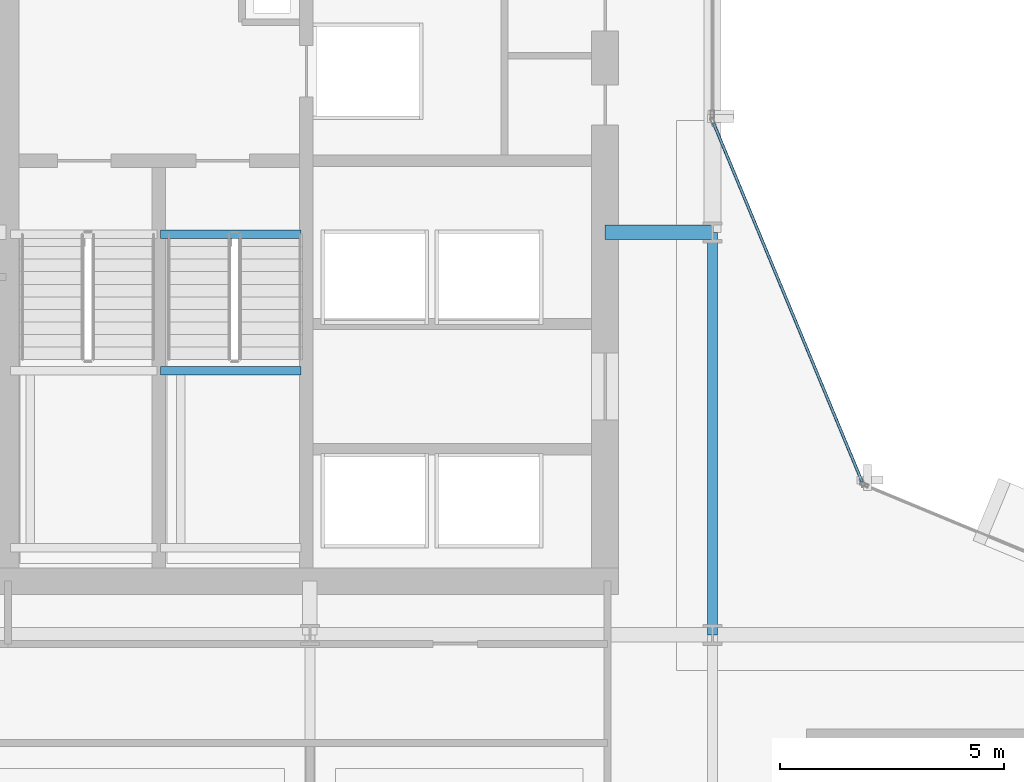
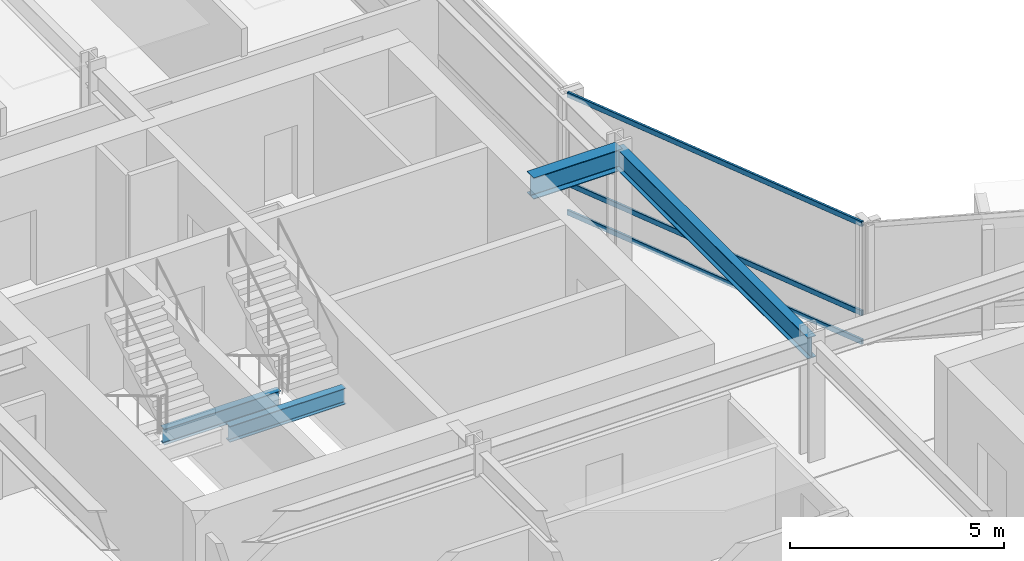
# One storey, part 20 of 34: 4 beams, 3 members, 1 element without a shape of its own.
"""IFC4 building model written with IfcOpenShell, lengths in metres."""

from ifc_helpers import new_model, si_unit, direction, frame, origin, origin_2d, place, context, subcontext, project, spatial, hollow_rectangle, i_section, extrude, material, layer, layer_set, material_profile, profile_set, type_object, element, aggregate, save


model = new_model("IFC4")

# Units and contexts
model_context = context("Model", 3, precision=1e-05, world=origin(), true_north=direction((0.0, 1.0)))
body_context = subcontext(model_context, "Body", "Model", "MODEL_VIEW")
ifc_project = project(units=[si_unit("LENGTHUNIT", "METRE"), si_unit("AREAUNIT", "SQUARE_METRE"), si_unit("VOLUMEUNIT", "CUBIC_METRE"), si_unit("PLANEANGLEUNIT", "RADIAN"), si_unit("MASSUNIT", "GRAM", prefix="KILO")], contexts=[model_context])

# Site, building, storey
site_placement = place(None, origin())
site = spatial("IfcSite", under=ifc_project, at=site_placement, CompositionType="ELEMENT")
building_placement = place(site_placement, origin())
building = spatial("IfcBuilding", under=site, at=building_placement, Name="Solvaryn Broadcast Tower", CompositionType="ELEMENT")
storey_placement = place(building_placement, frame((0.0, 0.0, 92.800048828125)))
storey = spatial("IfcBuildingStorey", under=building, at=storey_placement, Name="L22", CompositionType="ELEMENT", Elevation=92.800048828125)

# Beams
ifc_material_1 = material(Name="Steel ASTM A992 Grade 50", Category="steel")
ifc_material_profile_1 = material_profile(ifc_material_1, i_section(OverallWidth=0.323974609375, OverallDepth=0.611083984375, WebThickness=0.0126953125, FlangeThickness=0.01904296875, FilletRadius=0.014892578125, at=origin_2d()))
ifc_profile_set_1 = profile_set([ifc_material_profile_1], Name="Steel ASTM A992 Grade 50")
beam_type_1 = type_object("IfcBeamType", Name="BM-B1-W24X104", PredefinedType="BEAM", material=ifc_profile_set_1)
beam_1_placement = place(storey_placement, frame((24.60009765625, 36.0, 3.114501953125), z_axis=(1.0, 0.0, 0.0), x_axis=(0.0, 1.0, 0.0)))
element("IfcBeam", 1, at=beam_1_placement, inside=storey, type_object=beam_type_1, Name="L22 Core Tie Beam CTW2", PredefinedType="BEAM", context=body_context, shape_type="SweptSolid", body=[
    extrude(i_section(OverallWidth=0.323974609375, OverallDepth=0.611083984375, WebThickness=0.0126953125, FlangeThickness=0.01904296875, FilletRadius=0.014892578125, at=origin_2d()), origin(), (0.0, 0.0, 1.0), 2.39990234375),
])
ifc_material_2 = material(Name="Steel ASTM A992 Grade 50", Category="steel")
ifc_material_profile_2 = material_profile(ifc_material_2, i_section(OverallWidth=0.22802734375, OverallDepth=0.60791015625, WebThickness=0.01123046875, FlangeThickness=0.017333984375, FilletRadius=0.014892578125, at=origin_2d()))
ifc_profile_set_2 = profile_set([ifc_material_profile_2], Name="Steel ASTM A992 Grade 50")
beam_type_2 = type_object("IfcBeamType", Name="BM-B2-W24X76", PredefinedType="BEAM", material=ifc_profile_set_2)
beam_2_placement = place(storey_placement, frame((27.0, 27.0, 3.115966796875), z_axis=(0.0, 1.0, 0.0), x_axis=(-1.0, 0.0, 0.0)))
element("IfcBeam", 2, at=beam_2_placement, inside=storey, type_object=beam_type_2, Name="L22 Primary Beam Y (27-36 @ X=27)", PredefinedType="BEAM", context=body_context, shape_type="SweptSolid", body=[
    extrude(i_section(OverallWidth=0.22802734375, OverallDepth=0.60791015625, WebThickness=0.01123046875, FlangeThickness=0.017333984375, FilletRadius=0.014892578125, at=origin_2d()), origin(), (0.0, 0.0, 1.0), 9.0),
])
ifc_material_3 = material(Name="Steel ASTM A992 Grade 50", Category="steel")
ifc_material_profile_3 = material_profile(ifc_material_3, i_section(OverallWidth=0.18994140625, OverallDepth=0.45703125, WebThickness=0.009033203125, FlangeThickness=0.014404296875, FilletRadius=0.011962890625, at=origin_2d()))
ifc_profile_set_3 = profile_set([ifc_material_profile_3], Name="Steel ASTM A992 Grade 50")
beam_type_3 = type_object("IfcBeamType", Name="BM-B4-W18X50", PredefinedType="BEAM", material=ifc_profile_set_3)
for number, where, z_axis, x_axis, name in (
    (3, (14.659912109375, 35.9599609375, -0.508544921875), (1.0, 0.0, 0.0), (0.0, 1.0, 0.0), "L22 ST2 Stair Well Trimmer Beam"),
    (4, (14.659912109375, 32.909912109375, 1.42138671875), (1.0, 0.0, 0.0), (0.0, 1.0, 0.0), "L22 ST2 Landing Support Beam 1B"),
):
    element("IfcBeam", number, at=place(storey_placement, frame(where, z_axis=z_axis, x_axis=x_axis)), inside=storey, type_object=beam_type_3, Name=name, PredefinedType="BEAM", context=body_context, shape_type="SweptSolid", body=[
        extrude(i_section(OverallWidth=0.18994140625, OverallDepth=0.45703125, WebThickness=0.009033203125, FlangeThickness=0.014404296875, FilletRadius=0.011962890625, at=origin_2d()), origin(), (0.0, 0.0, 1.0), 3.14013671875),
    ])

# Curtain wall, members
ifc_material_4 = material(Name="Aluminium and Terracotta Unitised Curtain Wall", Category="masonry")
ifc_layer = layer(ifc_material_4, 0.199951171875)
ifc_layer_set = layer_set([ifc_layer], Name="CW-SYS2-LOWMID")
curtain_wall_type = type_object("IfcCurtainWallType", Name="CW-SYS2-LOWMID", PredefinedType="NOTDEFINED", material=ifc_layer_set)
curtain_wall_placement = place(storey_placement, origin())
curtain_wall = element("IfcCurtainWall", 5, at=curtain_wall_placement, inside=storey, type_object=curtain_wall_type, Name="L22 Curtain Wall CN2", PredefinedType="NOTDEFINED")
ifc_material_5 = material(Name="Anodised Aluminium 6063-T6", Category="aluminium")
ifc_material_profile_4 = material_profile(ifc_material_5, hollow_rectangle(XDim=0.06494140625, YDim=0.14990234375, WallThickness=0.00390625, InnerFilletRadius=0.00390625, OuterFilletRadius=0.008056640625, at=origin_2d()))
ifc_profile_set_4 = profile_set([ifc_material_profile_4], Name="Anodised Aluminium 6063-T6")
member_type = type_object("IfcMemberType", Name="CW-TRN-150", PredefinedType="USERDEFINED", material=ifc_profile_set_4)
member_1_placement = place(storey_placement, frame((30.344970703125, 30.42333984375, 0.030029296875), z_axis=(-0.382635748975, 0.923899282177, 0.0), x_axis=(-0.923899282177, -0.382635748975, 0.0)))
member_1 = element("IfcMember", 6, at=member_1_placement, type_object=member_type, Name="CWS2 transom 1.1", ObjectType="TRANSOM", PredefinedType="USERDEFINED", context=body_context, shape_type="SweptSolid", body=[
    extrude(hollow_rectangle(XDim=0.06494140625, YDim=0.14990234375, WallThickness=0.00390625, InnerFilletRadius=0.00390625, OuterFilletRadius=0.008056640625, at=origin_2d()), origin(), (0.0, 0.0, 1.0), 8.681884765625),
])
member_2_placement = place(storey_placement, frame((30.344970703125, 30.42333984375, 0.849853515625), z_axis=(-0.382635748975, 0.923899282177, 0.0), x_axis=(-0.923899282177, -0.382635748975, 0.0)))
member_2 = element("IfcMember", 7, at=member_2_placement, type_object=member_type, Name="CWS2 transom 1.2", ObjectType="TRANSOM", PredefinedType="USERDEFINED", context=body_context, shape_type="SweptSolid", body=[
    extrude(hollow_rectangle(XDim=0.06494140625, YDim=0.14990234375, WallThickness=0.00390625, InnerFilletRadius=0.00390625, OuterFilletRadius=0.008056640625, at=origin_2d()), origin(), (0.0, 0.0, 1.0), 8.681884765625),
])
member_3_placement = place(storey_placement, frame((30.344970703125, 30.42333984375, 3.389892578125), z_axis=(-0.382635748975, 0.923899282177, 0.0), x_axis=(-0.923899282177, -0.382635748975, 0.0)))
member_3 = element("IfcMember", 8, at=member_3_placement, type_object=member_type, Name="CWS2 transom 1.3", ObjectType="TRANSOM", PredefinedType="USERDEFINED", context=body_context, shape_type="SweptSolid", body=[
    extrude(hollow_rectangle(XDim=0.06494140625, YDim=0.14990234375, WallThickness=0.00390625, InnerFilletRadius=0.00390625, OuterFilletRadius=0.008056640625, at=origin_2d()), origin(), (0.0, 0.0, 1.0), 8.681884765625),
])
aggregate(curtain_wall, [member_1, member_2, member_3])

save(model, "model.ifc")
